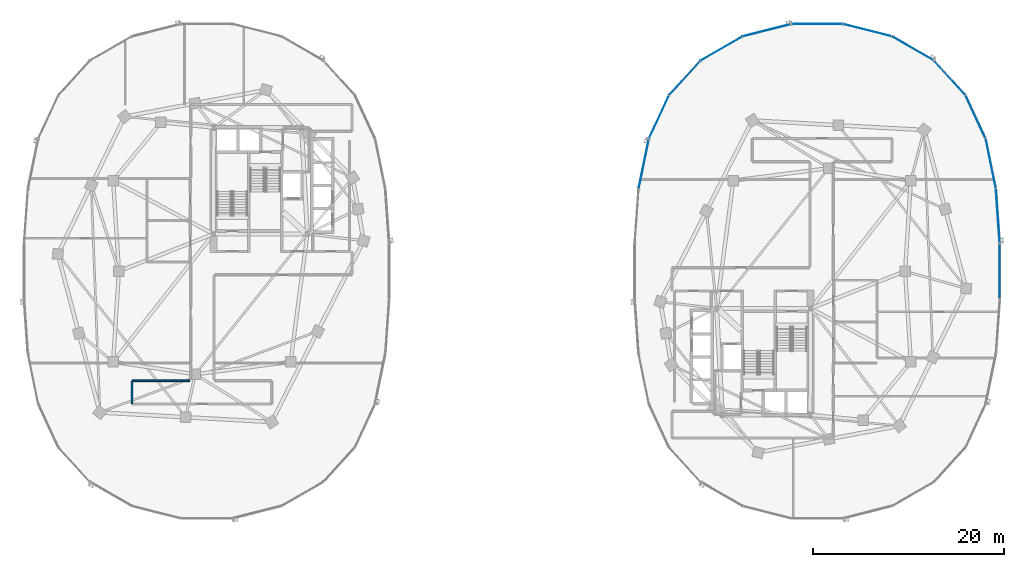
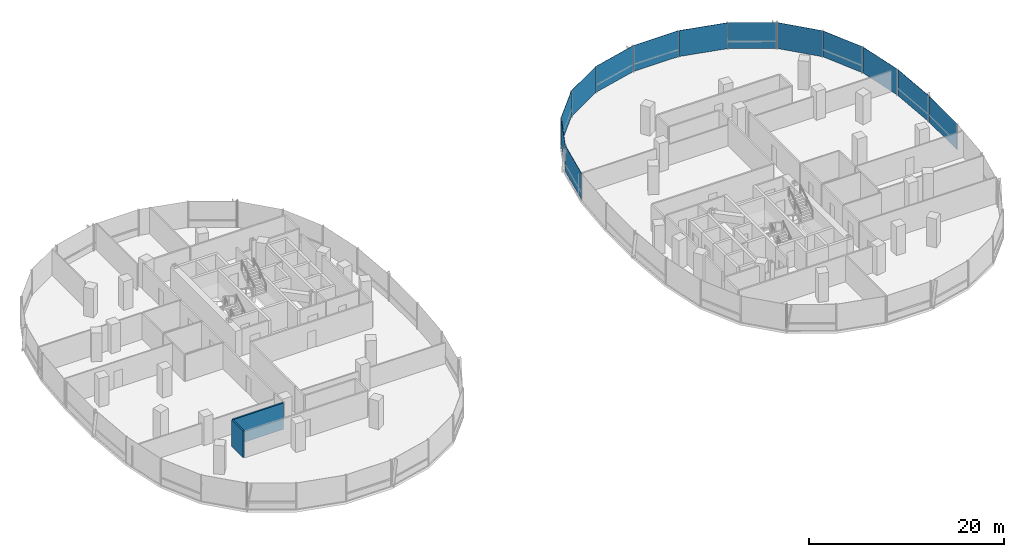
# One storey, part 10 of 21: 13 plates, 2 walls, 3 elements without a shape of their own.
"""IFC4 building model written with IfcOpenShell, lengths in metres."""

from ifc_helpers import new_model, si_unit, direction, frame, frame_2d, origin, origin_2d, place, context, subcontext, project, spatial, rectangle, extrude, material, layer, layer_set, type_object, element, aggregate, save


model = new_model("IFC4")

# Units and contexts
model_context = context("Model", 3, precision=1e-05, world=origin(), true_north=direction((0.0, 1.0)))
body_context = subcontext(model_context, "Body", "Model", "MODEL_VIEW")
ifc_project = project(units=[si_unit("LENGTHUNIT", "METRE"), si_unit("AREAUNIT", "SQUARE_METRE"), si_unit("VOLUMEUNIT", "CUBIC_METRE"), si_unit("PLANEANGLEUNIT", "RADIAN"), si_unit("MASSUNIT", "GRAM", prefix="KILO"), si_unit("THERMODYNAMICTEMPERATUREUNIT", "KELVIN"), si_unit("POWERUNIT", "WATT")], contexts=[model_context])

# Site, building, storey
site_placement = place(None, origin())
site = spatial("IfcSite", under=ifc_project, at=site_placement, CompositionType="ELEMENT")
building_placement = place(site_placement, origin())
building = spatial("IfcBuilding", under=site, at=building_placement, Name="Cundina Bronze Exchange", CompositionType="ELEMENT")
storey_placement = place(building_placement, frame((0.0, 0.0, 96.199951171875)))
storey = spatial("IfcBuildingStorey", under=building, at=storey_placement, Name="L24", CompositionType="ELEMENT", Elevation=96.199951171875)

# Curtain wall, plates
ifc_material_1 = material(Name="Anodised Bronze Aluminium 6063-T6", Category="aluminium")
curtain_wall_type = type_object("IfcCurtainWallType", Name="CWS-TRD-MID", PredefinedType="NOTDEFINED", material=ifc_material_1)
curtain_wall_1_placement = place(storey_placement, origin())
curtain_wall_1 = element("IfcCurtainWall", 1, at=curtain_wall_1_placement, inside=storey, type_object=curtain_wall_type, Name="L24 CW-03 Curtain Wall Run CWR-L24-E1", PredefinedType="NOTDEFINED")
ifc_material_2 = material(Name="Heat-Strengthened Solar-Control Bronze Safety Glass 28mm", Category="glass")
ifc_layer_1 = layer(ifc_material_2, 0.028076171875, Name="Heat-Strengthened Solar-Control Bronze Safety Glass 28mm", Category="glass")
ifc_layer_set_1 = layer_set([ifc_layer_1], Name="Heat-Strengthened Solar-Control Bronze Safety Glass 28mm")
plate_type_1 = type_object("IfcPlateType", Name="PLT-GLZ-VIS28", PredefinedType="CURTAIN_PANEL", material=ifc_layer_set_1)
plate_1_placement = place(storey_placement, frame((50.18408203125, 11.269775390625, 0.02001953125), z_axis=(0.0, 0.0, 1.0), x_axis=(-0.201419845156, 0.979505000486, 0.0)))
plate_1 = element("IfcPlate", 2, at=plate_1_placement, type_object=plate_type_1, Name="CW-03 Glazed Panel 2", PredefinedType="CURTAIN_PANEL", context=body_context, shape_type="SweptSolid", body=[
    extrude(rectangle(XDim=5.306640625, YDim=0.028076171875, at=origin_2d()), origin(), (0.0, 0.0, 1.0), 3.260009765625),
])
plate_2_placement = place(storey_placement, frame((48.586181640625, 16.177734375, 0.02001953125), z_axis=(0.0, 0.0, 1.0), x_axis=(-0.42084583328, 0.907132175932, 0.0)))
plate_2 = element("IfcPlate", 3, at=plate_2_placement, type_object=plate_type_1, Name="CW-03 Glazed Panel 3", PredefinedType="CURTAIN_PANEL", context=body_context, shape_type="SweptSolid", body=[
    extrude(rectangle(XDim=4.966552734375, YDim=0.028076171875, at=origin_2d()), origin(), (0.0, 0.0, 1.0), 3.260009765625),
])
plate_3_placement = place(storey_placement, frame((45.8740234375, 20.267333984375, 0.02001953125), z_axis=(0.0, 0.0, 1.0), x_axis=(-0.674276610219, 0.73847887777, 0.0)))
plate_3 = element("IfcPlate", 4, at=plate_3_placement, type_object=plate_type_1, Name="CW-03 Glazed Panel 4", PredefinedType="CURTAIN_PANEL", context=body_context, shape_type="SweptSolid", body=[
    extrude(rectangle(XDim=4.86328125, YDim=0.028076171875, at=origin_2d()), origin(), (0.0, 0.0, 1.0), 3.260009765625),
])
plate_4_placement = place(storey_placement, frame((42.019287109375, 23.34423828125, 0.02001953125), z_axis=(0.0, 0.0, 1.0), x_axis=(-0.867105478933, 0.498124571171, 0.0)))
plate_4 = element("IfcPlate", 5, at=plate_4_placement, type_object=plate_type_1, Name="CW-03 Glazed Panel 5", PredefinedType="CURTAIN_PANEL", context=body_context, shape_type="SweptSolid", body=[
    extrude(rectangle(XDim=5.021240234375, YDim=0.028076171875, at=origin_2d()), origin(), (0.0, 0.0, 1.0), 3.260009765625),
])
plate_5_placement = place(storey_placement, frame((32.0, 25.905029296875, 0.02001953125), z_axis=(0.0, 0.0, 1.0), x_axis=(-1.0, 0.0, 0.0)))
plate_5 = element("IfcPlate", 6, at=plate_5_placement, type_object=plate_type_1, Name="CW-03 Glazed Panel 7", PredefinedType="CURTAIN_PANEL", context=body_context, shape_type="SweptSolid", body=[
    extrude(rectangle(XDim=5.323974609375, YDim=0.028076171875, at=origin_2d()), origin(), (0.0, 0.0, 1.0), 3.260009765625),
])

curtain_wall_2_placement = place(storey_placement, origin())
curtain_wall_2 = element("IfcCurtainWall", 7, at=curtain_wall_2_placement, inside=storey, type_object=curtain_wall_type, Name="L24 CW-03 Curtain Wall Run CWR-L24-E2", PredefinedType="NOTDEFINED")
plate_6_placement = place(storey_placement, frame((26.744384765625, 25.256591796875, 0.02001953125), z_axis=(0.0, 0.0, 1.0), x_axis=(-0.969488149345, -0.245138182011, 0.0)))
plate_6 = element("IfcPlate", 8, at=plate_6_placement, type_object=plate_type_1, Name="CW-03 Glazed Panel 1", PredefinedType="CURTAIN_PANEL", context=body_context, shape_type="SweptSolid", body=[
    extrude(rectangle(XDim=5.2333984375, YDim=0.028076171875, at=origin_2d()), origin(), (0.0, 0.0, 1.0), 3.260009765625),
])
plate_7_placement = place(storey_placement, frame((21.980712890625, 23.34423828125, 0.02001953125), z_axis=(0.0, 0.0, 1.0), x_axis=(-0.867105478933, -0.498124571171, 0.0)))
plate_7 = element("IfcPlate", 9, at=plate_7_placement, type_object=plate_type_1, Name="CW-03 Glazed Panel 2", PredefinedType="CURTAIN_PANEL", context=body_context, shape_type="SweptSolid", body=[
    extrude(rectangle(XDim=5.021240234375, YDim=0.028076171875, at=origin_2d()), origin(), (0.0, 0.0, 1.0), 3.260009765625),
])
plate_8_placement = place(storey_placement, frame((18.1259765625, 20.267333984375, 0.02001953125), z_axis=(0.0, 0.0, 1.0), x_axis=(-0.674276610219, -0.73847887777, 0.0)))
plate_8 = element("IfcPlate", 10, at=plate_8_placement, type_object=plate_type_1, Name="CW-03 Glazed Panel 3", PredefinedType="CURTAIN_PANEL", context=body_context, shape_type="SweptSolid", body=[
    extrude(rectangle(XDim=4.86328125, YDim=0.028076171875, at=origin_2d()), origin(), (0.0, 0.0, 1.0), 3.260009765625),
])
plate_9_placement = place(storey_placement, frame((15.413818359375, 16.177734375, 0.02001953125), z_axis=(0.0, 0.0, 1.0), x_axis=(-0.42084583328, -0.907132175932, 0.0)))
plate_9 = element("IfcPlate", 11, at=plate_9_placement, type_object=plate_type_1, Name="CW-03 Glazed Panel 4", PredefinedType="CURTAIN_PANEL", context=body_context, shape_type="SweptSolid", body=[
    extrude(rectangle(XDim=4.966552734375, YDim=0.028076171875, at=origin_2d()), origin(), (0.0, 0.0, 1.0), 3.260009765625),
])

# Curtain wall, plate
curtain_wall_3_placement = place(storey_placement, origin())
curtain_wall_3 = element("IfcCurtainWall", 12, at=curtain_wall_3_placement, inside=storey, type_object=curtain_wall_type, Name="L24 CW-03 Curtain Wall Run CWR-L24-E4", PredefinedType="NOTDEFINED")
plate_10_placement = place(storey_placement, frame((51.1279296875, 0.0, 0.02001953125), z_axis=(0.0, 0.0, 1.0), x_axis=(0.0, 1.0, 0.0)))
plate_10 = element("IfcPlate", 13, at=plate_10_placement, type_object=plate_type_1, Name="CW-03 Glazed Panel 7", PredefinedType="CURTAIN_PANEL", context=body_context, shape_type="SweptSolid", body=[
    extrude(rectangle(XDim=5.77587890625, YDim=0.028076171875, at=origin_2d()), origin(), (0.0, 0.0, 1.0), 3.260009765625),
])
aggregate(curtain_wall_3, [plate_10])

# Plate
ifc_material_3 = material(Name="Dark Bronze Spandrel Glass Panel 32mm", Category="glass")
ifc_layer_2 = layer(ifc_material_3, 0.031982421875, Name="Dark Bronze Spandrel Glass Panel 32mm", Category="glass")
ifc_layer_set_2 = layer_set([ifc_layer_2], Name="Dark Bronze Spandrel Glass Panel 32mm")
plate_type_2 = type_object("IfcPlateType", Name="PLT-SPN-BRZ32", PredefinedType="CURTAIN_PANEL", material=ifc_layer_set_2)
plate_11_placement = place(storey_placement, frame((50.9267578125, 5.783935546875, 0.02001953125), z_axis=(0.0, 0.0, 1.0), x_axis=(-0.070278787473, 0.997527389113, 0.0)))
plate_11 = element("IfcPlate", 14, at=plate_11_placement, type_object=plate_type_2, Name="CW-03 Glazed Panel 1", PredefinedType="CURTAIN_PANEL", context=body_context, shape_type="SweptSolid", body=[
    extrude(rectangle(XDim=5.644287109375, YDim=0.031982421875, at=origin_2d()), origin(), (0.0, 0.0, 1.0), 3.260009765625),
])

plate_12_placement = place(storey_placement, frame((37.255615234375, 25.256591796875, 0.02001953125), z_axis=(0.0, 0.0, 1.0), x_axis=(-0.969488149345, 0.245138182011, 0.0)))
plate_12 = element("IfcPlate", 15, at=plate_12_placement, type_object=plate_type_2, Name="CW-03 Glazed Panel 6", PredefinedType="CURTAIN_PANEL", context=body_context, shape_type="SweptSolid", body=[
    extrude(rectangle(XDim=5.2333984375, YDim=0.031982421875, at=origin_2d()), origin(), (0.0, 0.0, 1.0), 3.260009765625),
])

aggregate(curtain_wall_1, [plate_11, plate_1, plate_2, plate_3, plate_4, plate_12, plate_5])

plate_13_placement = place(storey_placement, frame((13.81591796875, 11.269775390625, 0.02001953125), z_axis=(0.0, 0.0, 1.0), x_axis=(-0.201419845156, -0.979505000486, 0.0)))
plate_13 = element("IfcPlate", 16, at=plate_13_placement, type_object=plate_type_2, Name="CW-03 Glazed Panel 5", PredefinedType="CURTAIN_PANEL", context=body_context, shape_type="SweptSolid", body=[
    extrude(rectangle(XDim=5.306640625, YDim=0.031982421875, at=origin_2d()), origin(), (0.0, 0.0, 1.0), 3.260009765625),
])

aggregate(curtain_wall_2, [plate_6, plate_7, plate_8, plate_9, plate_13])

# Walls
ifc_material_4 = material(Name="Gypsum Fireboard Partition EI120")
ifc_layer_3 = layer(ifc_material_4, 0.179931640625, Name="Gypsum Fireboard Partition EI120")
ifc_layer_set_3 = layer_set([ifc_layer_3], Name="Gypsum Fireboard Partition EI120")
wall_type = type_object("IfcWallType", Name="WL-COR-180", PredefinedType="PARTITIONING", material=ifc_layer_set_3)
wall_1_placement = place(storey_placement, frame((-33.75, -11.47998046875, 0.0), z_axis=(0.0, 0.0, 1.0), x_axis=(-1.0, 0.0, 0.0)))
element("IfcWall", 17, at=wall_1_placement, inside=storey, type_object=wall_type, Name="L24 Interior Partition 022", PredefinedType="PARTITIONING", context=body_context, shape_type="SweptSolid", body=[
    extrude(rectangle(XDim=6.028564453125, YDim=0.179931640625, at=frame_2d((3.01416015625, 0.0))), origin(), (0.0, 0.0, 1.0), 3.300048828125),
])
wall_2_placement = place(storey_placement, frame((-39.820068359375, -11.521484375, 0.0), z_axis=(0.0, 0.0, 1.0), x_axis=(0.0, -1.0, 0.0)))
element("IfcWall", 18, at=wall_2_placement, inside=storey, type_object=wall_type, Name="L24 Interior Partition 024", PredefinedType="PARTITIONING", context=body_context, shape_type="SweptSolid", body=[
    extrude(rectangle(XDim=2.35693359375, YDim=0.179931640625, at=frame_2d((1.178466796875, 0.0))), origin(), (0.0, 0.0, 1.0), 3.300048828125),
])

save(model, "model.ifc")
